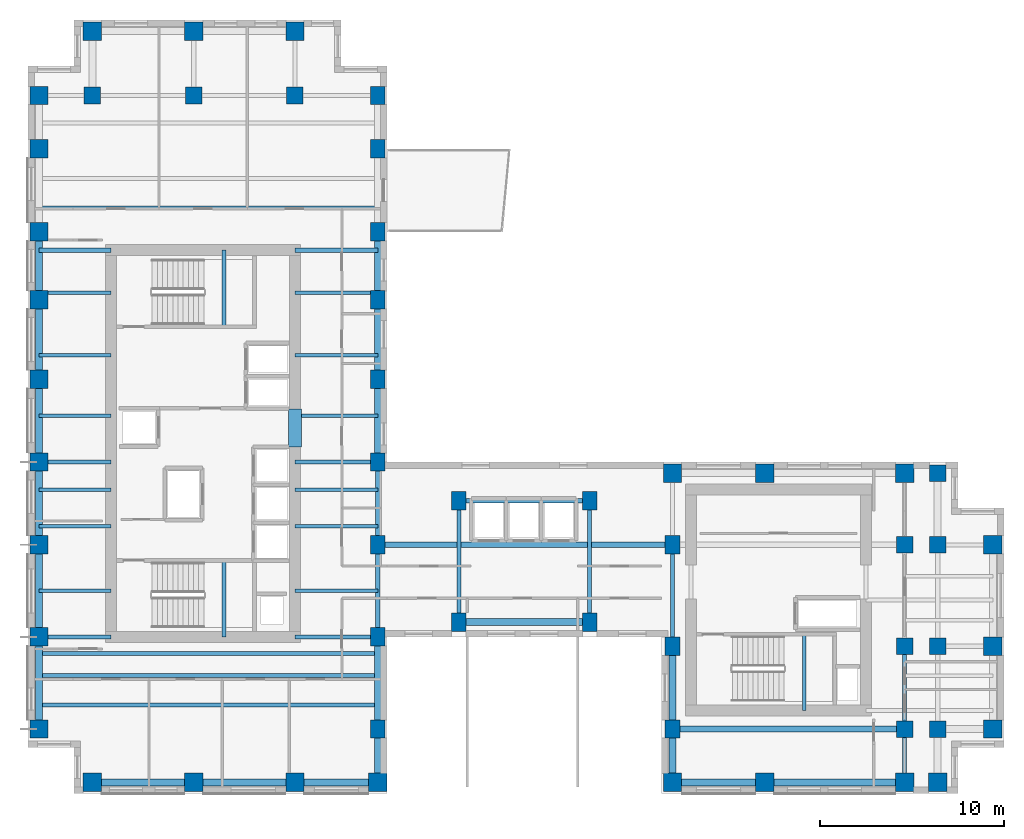
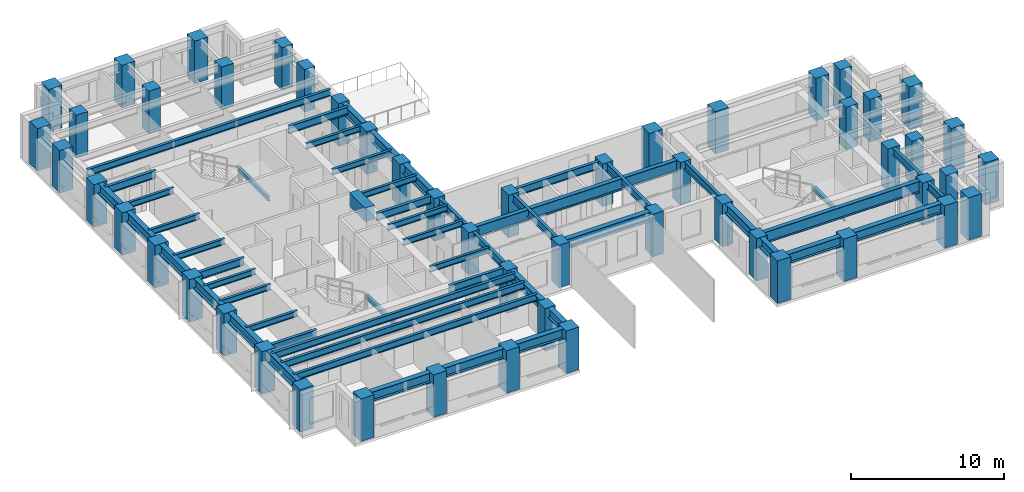
# One storey, part 1 of 11: 55 beams, 52 columns.
"""IFC4 building model written with IfcOpenShell, lengths in metres."""

from ifc_helpers import new_model, si_unit, direction, frame, origin, origin_2d, place, context, subcontext, project, spatial, rectangle, i_section, extrude, source, transform, mapped, material, material_profile, profile_set, type_object, element, save


model = new_model("IFC4")

# Units and contexts
model_context = context("Model", 3, precision=1e-05, world=origin(), true_north=direction((0.0, 1.0)))
body_context = subcontext(model_context, "Body", "Model", "MODEL_VIEW")
ifc_project = project(units=[si_unit("LENGTHUNIT", "METRE"), si_unit("AREAUNIT", "SQUARE_METRE"), si_unit("VOLUMEUNIT", "CUBIC_METRE"), si_unit("PLANEANGLEUNIT", "RADIAN"), si_unit("MASSUNIT", "GRAM", prefix="KILO")], contexts=[model_context])

# Site, building, storey
site_placement = place(None, origin())
site = spatial("IfcSite", under=ifc_project, at=site_placement, CompositionType="ELEMENT")
building_placement = place(site_placement, origin())
building = spatial("IfcBuilding", under=site, at=building_placement, Name="Kharzan Plaza Tower", CompositionType="ELEMENT")
storey_placement = place(building_placement, frame((0.0, 0.0, 200.699951171875)))
storey = spatial("IfcBuildingStorey", under=building, at=storey_placement, Name="L54", CompositionType="ELEMENT", Elevation=200.699951171875)

# Columns
ifc_material_1 = material(Name="Concrete C50/60", Category="concrete")
ifc_material_profile_1 = material_profile(ifc_material_1, rectangle(XDim=0.89990234375, YDim=0.89990234375, at=origin_2d()), Name="RC-IC900x900")
ifc_profile_set_1 = profile_set([ifc_material_profile_1], Name="Concrete C50/60")
column_type_1 = type_object("IfcColumnType", Name="COL-IC900", PredefinedType="COLUMN", material=ifc_profile_set_1)
shared_shape_1 = source(origin(), body_context, "Body", "SweptSolid", [
    extrude(rectangle(XDim=0.89990234375, YDim=0.89990234375, at=origin_2d()), origin(), (0.0, 0.0, 1.0), 3.400146484375),
])
for number, where, z_axis, x_axis, name in (
    (1, (47.60009765625, 13.5, 0.0), (0.0, 0.0, 1.0), (1.0, 0.0, 0.0), "L54 Structural Column TCBI-135"),
    (2, (47.60009765625, 3.5, 0.0), (0.0, 0.0, 1.0), (1.0, 0.0, 0.0), "L54 Structural Column TCBI-35"),
    (3, (47.60009765625, 8.0, 0.0), (0.0, 0.0, 1.0), (1.0, 0.0, 0.0), "L54 Structural Column TCBI-80"),
    (4, (49.39990234375, 13.5, 0.0), (0.0, 0.0, 1.0), (1.0, 0.0, 0.0), "L54 Structural Column TCE-494-135"),
    (5, (49.39990234375, 17.39990234375, 0.0), (0.0, 0.0, 1.0), (1.0, 0.0, 0.0), "L54 Structural Column TCE-494-174"),
    (6, (49.39990234375, 3.5, 0.0), (0.0, 0.0, 1.0), (1.0, 0.0, 0.0), "L54 Structural Column TCE-494-35"),
    (7, (49.39990234375, 8.0, 0.0), (0.0, 0.0, 1.0), (1.0, 0.0, 0.0), "L54 Structural Column TCE-494-80"),
    (8, (14.5, 37.89990234375, 0.0), (0.0, 0.0, 1.0), (1.0, 0.0, 0.0), "L54 Structural Column TCN-145-379"),
    (9, (3.5, 37.89990234375, 0.0), (0.0, 0.0, 1.0), (1.0, 0.0, 0.0), "L54 Structural Column TCN-35-379"),
    (10, (9.0, 37.89990234375, 0.0), (0.0, 0.0, 1.0), (1.0, 0.0, 0.0), "L54 Structural Column TCN-90-379"),
):
    element("IfcColumn", number, at=place(storey_placement, frame(where, z_axis=z_axis, x_axis=x_axis)), inside=storey, type_object=column_type_1, Name=name, PredefinedType="COLUMN", context=body_context, shape_type="MappedRepresentation", body=[
        mapped(shared_shape_1, transform((0.0, 0.0, 0.0), x_axis=(1.0, 0.0, 0.0), y_axis=(0.0, 1.0, 0.0), z_axis=(0.0, 0.0, 1.0))),
    ])
ifc_material_profile_2 = material_profile(ifc_material_1, rectangle(XDim=0.800048828125, YDim=1.0, at=origin_2d()), Name="RC-SC1000x800")
ifc_profile_set_2 = profile_set([ifc_material_profile_2], Name="Concrete C50/60")
column_type_2 = type_object("IfcColumnType", Name="COL-SC1000", PredefinedType="COLUMN", material=ifc_profile_set_2)
shared_shape_2 = source(origin(), body_context, "Body", "SweptSolid", [
    extrude(rectangle(XDim=0.800048828125, YDim=1.0, at=origin_2d()), origin(), (0.0, 0.0, 1.0), 3.400146484375),
])
for number, where, z_axis, x_axis, name in (
    (11, (19.0, 13.5, 0.0), (0.0, 0.0, 1.0), (1.0, 0.0, 0.0), "L54 Structural Column TCA-135"),
    (12, (19.0, 18.0, 0.0), (0.0, 0.0, 1.0), (1.0, 0.0, 0.0), "L54 Structural Column TCA-180"),
    (13, (19.0, 22.5, 0.0), (0.0, 0.0, 1.0), (1.0, 0.0, 0.0), "L54 Structural Column TCA-225"),
    (14, (19.0, 26.800048828125, 0.0), (0.0, 0.0, 1.0), (1.0, 0.0, 0.0), "L54 Structural Column TCA-268"),
    (15, (19.0, 30.5, 0.0), (0.0, 0.0, 1.0), (1.0, 0.0, 0.0), "L54 Structural Column TCA-305"),
    (16, (19.0, 3.5, 0.0), (0.0, 0.0, 1.0), (1.0, 0.0, 0.0), "L54 Structural Column TCA-35"),
    (17, (19.0, 35.0, 0.0), (0.0, 0.0, 1.0), (1.0, 0.0, 0.0), "L54 Structural Column TCA-350"),
    (18, (19.0, 37.89990234375, 0.0), (0.0, 0.0, 1.0), (1.0, 0.0, 0.0), "L54 Structural Column TCA-379"),
    (19, (19.0, 8.5, 0.0), (0.0, 0.0, 1.0), (1.0, 0.0, 0.0), "L54 Structural Column TCA-85"),
    (20, (35.0, 13.5, 0.0), (0.0, 0.0, 1.0), (1.0, 0.0, 0.0), "L54 Structural Column TCBS-135"),
    (21, (35.0, 3.5, 0.0), (0.0, 0.0, 1.0), (1.0, 0.0, 0.0), "L54 Structural Column TCBS-35"),
    (22, (35.0, 8.0, 0.0), (0.0, 0.0, 1.0), (1.0, 0.0, 0.0), "L54 Structural Column TCBS-80"),
    (23, (23.39990234375, 15.89990234375, 0.0), (0.0, 0.0, 1.0), (1.0, 0.0, 0.0), "L54 Structural Column TCSP-234-159"),
    (24, (23.39990234375, 9.300048828125, 0.0), (0.0, 0.0, 1.0), (1.0, 0.0, 0.0), "L54 Structural Column TCSP-234-93"),
    (25, (30.5, 15.89990234375, 0.0), (0.0, 0.0, 1.0), (1.0, 0.0, 0.0), "L54 Structural Column TCSP-305-159"),
    (26, (30.5, 9.300048828125, 0.0), (0.0, 0.0, 1.0), (1.0, 0.0, 0.0), "L54 Structural Column TCSP-305-93"),
):
    element("IfcColumn", number, at=place(storey_placement, frame(where, z_axis=z_axis, x_axis=x_axis)), inside=storey, type_object=column_type_2, Name=name, PredefinedType="COLUMN", context=body_context, shape_type="MappedRepresentation", body=[
        mapped(shared_shape_2, transform((0.0, 0.0, 0.0), x_axis=(1.0, 0.0, 0.0), y_axis=(0.0, 1.0, 0.0), z_axis=(0.0, 0.0, 1.0))),
    ])
ifc_material_profile_3 = material_profile(ifc_material_1, rectangle(XDim=1.0, YDim=1.0, at=origin_2d()), Name="RC-TC1000x1000")
ifc_profile_set_3 = profile_set([ifc_material_profile_3], Name="Concrete C50/60")
column_type_3 = type_object("IfcColumnType", Name="COL-TC1000", PredefinedType="COLUMN", material=ifc_profile_set_3)
shared_shape_3 = source(origin(), body_context, "Body", "SweptSolid", [
    extrude(rectangle(XDim=1.0, YDim=1.0, at=origin_2d()), origin(), (0.0, 0.0, 1.0), 3.400146484375),
])
for number, where, z_axis, x_axis, name in (
    (27, (35.0, 17.39990234375, 0.0), (0.0, 0.0, 1.0), (1.0, 0.0, 0.0), "L54 Structural Column TCBN-350-174"),
    (28, (40.0, 17.39990234375, 0.0), (0.0, 0.0, 1.0), (1.0, 0.0, 0.0), "L54 Structural Column TCBN-400-174"),
    (29, (47.60009765625, 17.39990234375, 0.0), (0.0, 0.0, 1.0), (1.0, 0.0, 0.0), "L54 Structural Column TCBN-476-174"),
    (30, (52.39990234375, 13.5, 0.0), (0.0, 0.0, 1.0), (1.0, 0.0, 0.0), "L54 Structural Column TCE-524-135"),
    (31, (52.39990234375, 3.5, 0.0), (0.0, 0.0, 1.0), (1.0, 0.0, 0.0), "L54 Structural Column TCE-524-35"),
    (32, (52.39990234375, 8.0, 0.0), (0.0, 0.0, 1.0), (1.0, 0.0, 0.0), "L54 Structural Column TCE-524-80"),
    (33, (14.5, 41.39990234375, 0.0), (0.0, 0.0, 1.0), (1.0, 0.0, 0.0), "L54 Structural Column TCN-145-414"),
    (34, (3.5, 41.39990234375, 0.0), (0.0, 0.0, 1.0), (1.0, 0.0, 0.0), "L54 Structural Column TCN-35-414"),
    (35, (9.0, 41.39990234375, 0.0), (0.0, 0.0, 1.0), (1.0, 0.0, 0.0), "L54 Structural Column TCN-90-414"),
    (36, (14.5, 0.60009765625, 0.0), (0.0, 0.0, 1.0), (1.0, 0.0, 0.0), "L54 Structural Column TCS-145"),
    (37, (19.0, 0.60009765625, 0.0), (0.0, 0.0, 1.0), (1.0, 0.0, 0.0), "L54 Structural Column TCS-190"),
    (38, (3.5, 0.60009765625, 0.0), (0.0, 0.0, 1.0), (1.0, 0.0, 0.0), "L54 Structural Column TCS-35"),
    (39, (35.0, 0.60009765625, 0.0), (0.0, 0.0, 1.0), (1.0, 0.0, 0.0), "L54 Structural Column TCS-350"),
    (40, (40.0, 0.60009765625, 0.0), (0.0, 0.0, 1.0), (1.0, 0.0, 0.0), "L54 Structural Column TCS-400"),
    (41, (47.60009765625, 0.60009765625, 0.0), (0.0, 0.0, 1.0), (1.0, 0.0, 0.0), "L54 Structural Column TCS-476"),
    (42, (49.39990234375, 0.60009765625, 0.0), (0.0, 0.0, 1.0), (1.0, 0.0, 0.0), "L54 Structural Column TCS-494"),
    (43, (9.0, 0.60009765625, 0.0), (0.0, 0.0, 1.0), (1.0, 0.0, 0.0), "L54 Structural Column TCS-90"),
    (44, (0.60009765625, 13.5, 0.0), (0.0, 0.0, 1.0), (1.0, 0.0, 0.0), "L54 Structural Column TCW-135"),
    (45, (0.60009765625, 18.0, 0.0), (0.0, 0.0, 1.0), (1.0, 0.0, 0.0), "L54 Structural Column TCW-180"),
    (46, (0.60009765625, 22.5, 0.0), (0.0, 0.0, 1.0), (1.0, 0.0, 0.0), "L54 Structural Column TCW-225"),
    (47, (0.60009765625, 26.800048828125, 0.0), (0.0, 0.0, 1.0), (1.0, 0.0, 0.0), "L54 Structural Column TCW-268"),
    (48, (0.60009765625, 30.5, 0.0), (0.0, 0.0, 1.0), (1.0, 0.0, 0.0), "L54 Structural Column TCW-305"),
    (49, (0.60009765625, 3.5, 0.0), (0.0, 0.0, 1.0), (1.0, 0.0, 0.0), "L54 Structural Column TCW-35"),
    (50, (0.60009765625, 35.0, 0.0), (0.0, 0.0, 1.0), (1.0, 0.0, 0.0), "L54 Structural Column TCW-350"),
    (51, (0.60009765625, 37.89990234375, 0.0), (0.0, 0.0, 1.0), (1.0, 0.0, 0.0), "L54 Structural Column TCW-379"),
    (52, (0.60009765625, 8.5, 0.0), (0.0, 0.0, 1.0), (1.0, 0.0, 0.0), "L54 Structural Column TCW-85"),
):
    element("IfcColumn", number, at=place(storey_placement, frame(where, z_axis=z_axis, x_axis=x_axis)), inside=storey, type_object=column_type_3, Name=name, PredefinedType="COLUMN", context=body_context, shape_type="MappedRepresentation", body=[
        mapped(shared_shape_3, transform((0.0, 0.0, 0.0), x_axis=(1.0, 0.0, 0.0), y_axis=(0.0, 1.0, 0.0), z_axis=(0.0, 0.0, 1.0))),
    ])

# Beams
ifc_material_2 = material(Name="Concrete C60/75", Category="concrete")
ifc_material_profile_4 = material_profile(ifc_material_2, rectangle(XDim=0.699951171875, YDim=1.10009765625, at=origin_2d()), Name="RC-CB1100x700")
ifc_profile_set_4 = profile_set([ifc_material_profile_4], Name="Concrete C60/75")
beam_type_1 = type_object("IfcBeamType", Name="BM-RCCB1100", PredefinedType="LINTEL", material=ifc_profile_set_4)
shared_shape_4 = source(origin(), body_context, "Body", "SweptSolid", [
    extrude(rectangle(XDim=0.699951171875, YDim=1.10009765625, at=origin_2d()), origin(), (0.0, 0.0, 1.0), 2.059814453125),
])
beam_1_placement = place(storey_placement, frame((14.5, 18.820068359375, 2.85009765625), z_axis=(0.0, 1.0, 0.0), x_axis=(-1.0, 0.0, 0.0)))
element("IfcBeam", 53, at=beam_1_placement, inside=storey, type_object=beam_type_1, Name="L54 CORE-A RC coupling beam CB1", PredefinedType="LINTEL", context=body_context, shape_type="MappedRepresentation", body=[
    mapped(shared_shape_4, transform((0.0, 0.0, 0.0), x_axis=(1.0, 0.0, 0.0), y_axis=(0.0, 1.0, 0.0), z_axis=(0.0, 0.0, 1.0))),
])
ifc_material_3 = material(Name="Steel S355", Category="steel")
ifc_material_profile_5 = material_profile(ifc_material_3, i_section(OverallWidth=0.205078125, OverallDepth=0.35400390625, WebThickness=0.009521484375, FlangeThickness=0.016845703125, at=origin_2d()), Name="W360x79")
ifc_profile_set_5 = profile_set([ifc_material_profile_5], Name="Steel S355")
beam_type_2 = type_object("IfcBeamType", Name="BM-LNT360", PredefinedType="LINTEL", material=ifc_profile_set_5)
shared_shape_5 = source(origin(), body_context, "Body", "SweptSolid", [
    extrude(i_section(OverallWidth=0.205078125, OverallDepth=0.35400390625, WebThickness=0.009521484375, FlangeThickness=0.016845703125, at=origin_2d()), origin(), (0.0, 0.0, 1.0), 4.155029296875),
])
for number, where, z_axis, x_axis, name in (
    (54, (10.64990234375, 8.5, 1.423095703125), (0.0, 1.0, 0.0), (-1.0, 0.0, 0.0), "L54 Stair ST-1 Half-Landing Beam"),
    (55, (10.64990234375, 25.344970703125, 1.423095703125), (0.0, 1.0, 0.0), (-1.0, 0.0, 0.0), "L54 Stair ST-2 Half-Landing Beam"),
    (56, (42.14990234375, 4.5, 1.423095703125), (0.0, 1.0, 0.0), (-1.0, 0.0, 0.0), "L54 Stair ST-3 Half-Landing Beam"),
):
    element("IfcBeam", number, at=place(storey_placement, frame(where, z_axis=z_axis, x_axis=x_axis)), inside=storey, type_object=beam_type_2, Name=name, PredefinedType="LINTEL", context=body_context, shape_type="MappedRepresentation", body=[
        mapped(shared_shape_5, transform((0.0, 0.0, 0.0), x_axis=(1.0, 0.0, 0.0), y_axis=(0.0, 1.0, 0.0), z_axis=(0.0, 0.0, 1.0))),
    ])
ifc_material_profile_6 = material_profile(ifc_material_3, i_section(OverallWidth=0.304931640625, OverallDepth=0.9189453125, WebThickness=0.017333984375, FlangeThickness=0.02783203125, at=origin_2d()), Name="W920x253")
ifc_profile_set_6 = profile_set([ifc_material_profile_6], Name="Steel S355")
beam_type_3 = type_object("IfcBeamType", Name="BM-FG920B", PredefinedType="BEAM", material=ifc_profile_set_6)
shared_shape_6 = source(origin(), body_context, "Body", "SweptSolid", [
    extrude(i_section(OverallWidth=0.304931640625, OverallDepth=0.9189453125, WebThickness=0.017333984375, FlangeThickness=0.02783203125, at=origin_2d()), origin(), (0.0, 0.0, 1.0), 12.60009765625),
])
beam_2_placement = place(storey_placement, frame((35.0, 3.5, 2.9404296875), z_axis=(1.0, 0.0, 0.0), x_axis=(0.0, 1.0, 0.0)))
element("IfcBeam", 57, at=beam_2_placement, inside=storey, type_object=beam_type_3, Name="L54 Primary Floor Girder", PredefinedType="BEAM", context=body_context, shape_type="MappedRepresentation", body=[
    mapped(shared_shape_6, transform((0.0, 0.0, 0.0), x_axis=(1.0, 0.0, 0.0), y_axis=(0.0, 1.0, 0.0), z_axis=(0.0, 0.0, 1.0))),
])
shared_shape_7 = source(origin(), body_context, "Body", "SweptSolid", [
    extrude(i_section(OverallWidth=0.304931640625, OverallDepth=0.9189453125, WebThickness=0.017333984375, FlangeThickness=0.02783203125, at=origin_2d()), origin(), (0.0, 0.0, 1.0), 16.0),
])
beam_3_placement = place(storey_placement, frame((19.0, 13.5, 2.9404296875), z_axis=(1.0, 0.0, 0.0), x_axis=(0.0, 1.0, 0.0)))
element("IfcBeam", 58, at=beam_3_placement, inside=storey, type_object=beam_type_3, Name="L54 Primary Floor Girder", PredefinedType="BEAM", context=body_context, shape_type="MappedRepresentation", body=[
    mapped(shared_shape_7, transform((0.0, 0.0, 0.0), x_axis=(1.0, 0.0, 0.0), y_axis=(0.0, 1.0, 0.0), z_axis=(0.0, 0.0, 1.0))),
])
ifc_material_profile_7 = material_profile(ifc_material_3, i_section(OverallWidth=0.2099609375, OverallDepth=0.537109375, WebThickness=0.010986328125, FlangeThickness=0.017333984375, at=origin_2d()), Name="W530x101")
ifc_profile_set_7 = profile_set([ifc_material_profile_7], Name="Steel S355")
beam_type_4 = type_object("IfcBeamType", Name="BM-JST530B", PredefinedType="JOIST", material=ifc_profile_set_7)
shared_shape_8 = source(origin(), body_context, "Body", "SweptSolid", [
    extrude(i_section(OverallWidth=0.2099609375, OverallDepth=0.537109375, WebThickness=0.010986328125, FlangeThickness=0.017333984375, at=origin_2d()), origin(), (0.0, 0.0, 1.0), 18.39990234375),
])
for number, where, z_axis, x_axis, name in (
    (59, (0.60009765625, 4.800048828125, 3.131591796875), (1.0, 0.0, 0.0), (0.0, 1.0, 0.0), "L54 Wing A Composite Joist 01"),
    (60, (0.60009765625, 6.39990234375, 3.131591796875), (1.0, 0.0, 0.0), (0.0, 1.0, 0.0), "L54 Wing A Composite Joist 02"),
    (61, (0.60009765625, 7.60009765625, 3.131591796875), (1.0, 0.0, 0.0), (0.0, 1.0, 0.0), "L54 Wing A Composite Joist 03"),
    (62, (0.60009765625, 31.800048828125, 3.131591796875), (1.0, 0.0, 0.0), (0.0, 1.0, 0.0), "L54 Wing A Composite Joist 04"),
):
    element("IfcBeam", number, at=place(storey_placement, frame(where, z_axis=z_axis, x_axis=x_axis)), inside=storey, type_object=beam_type_4, Name=name, PredefinedType="JOIST", context=body_context, shape_type="MappedRepresentation", body=[
        mapped(shared_shape_8, transform((0.0, 0.0, 0.0), x_axis=(1.0, 0.0, 0.0), y_axis=(0.0, 1.0, 0.0), z_axis=(0.0, 0.0, 1.0))),
    ])
ifc_material_profile_8 = material_profile(ifc_material_3, i_section(OverallWidth=0.194091796875, OverallDepth=0.468994140625, WebThickness=0.011474609375, FlangeThickness=0.0205078125, at=origin_2d()), Name="W460x106")
ifc_profile_set_8 = profile_set([ifc_material_profile_8], Name="Steel S355")
beam_type_5 = type_object("IfcBeamType", Name="BM-JST460", PredefinedType="JOIST", material=ifc_profile_set_8)
shared_shape_9 = source(origin(), body_context, "Body", "SweptSolid", [
    extrude(i_section(OverallWidth=0.194091796875, OverallDepth=0.468994140625, WebThickness=0.011474609375, FlangeThickness=0.0205078125, at=origin_2d()), origin(), (0.0, 0.0, 1.0), 4.5),
])
for number, where, z_axis, x_axis, name in (
    (63, (14.5, 11.0, 3.16552734375), (1.0, 0.0, 0.0), (0.0, 1.0, 0.0), "L54 Wing A East Infill Joist 1"),
    (64, (14.5, 14.5, 3.16552734375), (1.0, 0.0, 0.0), (0.0, 1.0, 0.0), "L54 Wing A East Infill Joist 2"),
    (65, (14.5, 16.5, 3.16552734375), (1.0, 0.0, 0.0), (0.0, 1.0, 0.0), "L54 Wing A East Infill Joist 3"),
    (66, (14.5, 20.5, 3.16552734375), (1.0, 0.0, 0.0), (0.0, 1.0, 0.0), "L54 Wing A East Infill Joist 4"),
    (67, (14.5, 23.800048828125, 3.16552734375), (1.0, 0.0, 0.0), (0.0, 1.0, 0.0), "L54 Wing A East Infill Joist 5"),
    (68, (14.5, 27.199951171875, 3.16552734375), (1.0, 0.0, 0.0), (0.0, 1.0, 0.0), "L54 Wing A East Infill Joist 6"),
):
    element("IfcBeam", number, at=place(storey_placement, frame(where, z_axis=z_axis, x_axis=x_axis)), inside=storey, type_object=beam_type_5, Name=name, PredefinedType="JOIST", context=body_context, shape_type="MappedRepresentation", body=[
        mapped(shared_shape_9, transform((0.0, 0.0, 0.0), x_axis=(1.0, 0.0, 0.0), y_axis=(0.0, 1.0, 0.0), z_axis=(0.0, 0.0, 1.0))),
    ])
shared_shape_10 = source(origin(), body_context, "Body", "SweptSolid", [
    extrude(i_section(OverallWidth=0.194091796875, OverallDepth=0.468994140625, WebThickness=0.011474609375, FlangeThickness=0.0205078125, at=origin_2d()), origin(), (0.0, 0.0, 1.0), 3.89990234375),
])
for number, where, z_axis, x_axis, name in (
    (69, (0.60009765625, 11.0, 3.16552734375), (1.0, 0.0, 0.0), (0.0, 1.0, 0.0), "L54 Wing A West Infill Joist 1"),
    (70, (0.60009765625, 14.5, 3.16552734375), (1.0, 0.0, 0.0), (0.0, 1.0, 0.0), "L54 Wing A West Infill Joist 2"),
    (71, (0.60009765625, 16.5, 3.16552734375), (1.0, 0.0, 0.0), (0.0, 1.0, 0.0), "L54 Wing A West Infill Joist 3"),
    (72, (0.60009765625, 20.5, 3.16552734375), (1.0, 0.0, 0.0), (0.0, 1.0, 0.0), "L54 Wing A West Infill Joist 4"),
    (73, (0.60009765625, 23.800048828125, 3.16552734375), (1.0, 0.0, 0.0), (0.0, 1.0, 0.0), "L54 Wing A West Infill Joist 5"),
    (74, (0.60009765625, 27.199951171875, 3.16552734375), (1.0, 0.0, 0.0), (0.0, 1.0, 0.0), "L54 Wing A West Infill Joist 6"),
):
    element("IfcBeam", number, at=place(storey_placement, frame(where, z_axis=z_axis, x_axis=x_axis)), inside=storey, type_object=beam_type_5, Name=name, PredefinedType="JOIST", context=body_context, shape_type="MappedRepresentation", body=[
        mapped(shared_shape_10, transform((0.0, 0.0, 0.0), x_axis=(1.0, 0.0, 0.0), y_axis=(0.0, 1.0, 0.0), z_axis=(0.0, 0.0, 1.0))),
    ])
ifc_material_profile_9 = material_profile(ifc_material_3, i_section(OverallWidth=0.22900390625, OverallDepth=0.612060546875, WebThickness=0.011962890625, FlangeThickness=0.01953125, at=origin_2d()), Name="W610x125")
ifc_profile_set_9 = profile_set([ifc_material_profile_9], Name="Steel S355")
beam_type_6 = type_object("IfcBeamType", Name="BM-FG610B", PredefinedType="BEAM", material=ifc_profile_set_9)
shared_shape_11 = source(origin(), body_context, "Body", "SweptSolid", [
    extrude(i_section(OverallWidth=0.22900390625, OverallDepth=0.612060546875, WebThickness=0.011962890625, FlangeThickness=0.01953125, at=origin_2d()), origin(), (0.0, 0.0, 1.0), 4.5),
])
for number, where, z_axis, x_axis, name in (
    (75, (14.5, 8.5, 3.093994140625), (1.0, 0.0, 0.0), (0.0, 1.0, 0.0), "L54 Core-A East Floor Girder 1"),
    (76, (14.5, 18.0, 3.093994140625), (1.0, 0.0, 0.0), (0.0, 1.0, 0.0), "L54 Core-A East Floor Girder 2"),
    (77, (14.5, 29.5, 3.093994140625), (1.0, 0.0, 0.0), (0.0, 1.0, 0.0), "L54 Core-A East Floor Girder 3"),
    (78, (19.0, 13.5, 3.093994140625), (0.0, 1.0, 0.0), (-1.0, 0.0, 0.0), "L54 Interior Frame Girder"),
    (79, (47.60009765625, 3.5, 3.093994140625), (0.0, 1.0, 0.0), (-1.0, 0.0, 0.0), "L54 Interior Frame Girder"),
):
    element("IfcBeam", number, at=place(storey_placement, frame(where, z_axis=z_axis, x_axis=x_axis)), inside=storey, type_object=beam_type_6, Name=name, PredefinedType="BEAM", context=body_context, shape_type="MappedRepresentation", body=[
        mapped(shared_shape_11, transform((0.0, 0.0, 0.0), x_axis=(1.0, 0.0, 0.0), y_axis=(0.0, 1.0, 0.0), z_axis=(0.0, 0.0, 1.0))),
    ])
shared_shape_12 = source(origin(), body_context, "Body", "SweptSolid", [
    extrude(i_section(OverallWidth=0.22900390625, OverallDepth=0.612060546875, WebThickness=0.011962890625, FlangeThickness=0.01953125, at=origin_2d()), origin(), (0.0, 0.0, 1.0), 3.89990234375),
])
for number, where, z_axis, x_axis, name in (
    (80, (0.60009765625, 8.5, 3.093994140625), (1.0, 0.0, 0.0), (0.0, 1.0, 0.0), "L54 Core-A West Floor Girder 1"),
    (81, (0.60009765625, 18.0, 3.093994140625), (1.0, 0.0, 0.0), (0.0, 1.0, 0.0), "L54 Core-A West Floor Girder 2"),
    (82, (0.60009765625, 29.5, 3.093994140625), (1.0, 0.0, 0.0), (0.0, 1.0, 0.0), "L54 Core-A West Floor Girder 3"),
):
    element("IfcBeam", number, at=place(storey_placement, frame(where, z_axis=z_axis, x_axis=x_axis)), inside=storey, type_object=beam_type_6, Name=name, PredefinedType="BEAM", context=body_context, shape_type="MappedRepresentation", body=[
        mapped(shared_shape_12, transform((0.0, 0.0, 0.0), x_axis=(1.0, 0.0, 0.0), y_axis=(0.0, 1.0, 0.0), z_axis=(0.0, 0.0, 1.0))),
    ])
shared_shape_13 = source(origin(), body_context, "Body", "SweptSolid", [
    extrude(i_section(OverallWidth=0.22900390625, OverallDepth=0.612060546875, WebThickness=0.011962890625, FlangeThickness=0.01953125, at=origin_2d()), origin(), (0.0, 0.0, 1.0), 5.0),
])
beam_4_placement = place(storey_placement, frame((19.0, 8.5, 3.093994140625), z_axis=(0.0, 1.0, 0.0), x_axis=(-1.0, 0.0, 0.0)))
element("IfcBeam", 83, at=beam_4_placement, inside=storey, type_object=beam_type_6, Name="L54 Interior Frame Girder", PredefinedType="BEAM", context=body_context, shape_type="MappedRepresentation", body=[
    mapped(shared_shape_13, transform((0.0, 0.0, 0.0), x_axis=(1.0, 0.0, 0.0), y_axis=(0.0, 1.0, 0.0), z_axis=(0.0, 0.0, 1.0))),
])
shared_shape_14 = source(origin(), body_context, "Body", "SweptSolid", [
    extrude(i_section(OverallWidth=0.22900390625, OverallDepth=0.612060546875, WebThickness=0.011962890625, FlangeThickness=0.01953125, at=origin_2d()), origin(), (0.0, 0.0, 1.0), 6.599853515625),
])
for number, where, z_axis, x_axis, name in (
    (84, (23.39990234375, 9.300048828125, 3.093994140625), (0.0, 1.0, 0.0), (-1.0, 0.0, 0.0), "L54 Interior Frame Girder"),
    (85, (30.5, 9.300048828125, 3.093994140625), (0.0, 1.0, 0.0), (-1.0, 0.0, 0.0), "L54 Interior Frame Girder"),
):
    element("IfcBeam", number, at=place(storey_placement, frame(where, z_axis=z_axis, x_axis=x_axis)), inside=storey, type_object=beam_type_6, Name=name, PredefinedType="BEAM", context=body_context, shape_type="MappedRepresentation", body=[
        mapped(shared_shape_14, transform((0.0, 0.0, 0.0), x_axis=(1.0, 0.0, 0.0), y_axis=(0.0, 1.0, 0.0), z_axis=(0.0, 0.0, 1.0))),
    ])
shared_shape_15 = source(origin(), body_context, "Body", "SweptSolid", [
    extrude(i_section(OverallWidth=0.22900390625, OverallDepth=0.612060546875, WebThickness=0.011962890625, FlangeThickness=0.01953125, at=origin_2d()), origin(), (0.0, 0.0, 1.0), 5.5),
])
beam_5_placement = place(storey_placement, frame((35.0, 8.0, 3.093994140625), z_axis=(0.0, 1.0, 0.0), x_axis=(-1.0, 0.0, 0.0)))
element("IfcBeam", 86, at=beam_5_placement, inside=storey, type_object=beam_type_6, Name="L54 Interior Frame Girder", PredefinedType="BEAM", context=body_context, shape_type="MappedRepresentation", body=[
    mapped(shared_shape_15, transform((0.0, 0.0, 0.0), x_axis=(1.0, 0.0, 0.0), y_axis=(0.0, 1.0, 0.0), z_axis=(0.0, 0.0, 1.0))),
])
shared_shape_16 = source(origin(), body_context, "Body", "SweptSolid", [
    extrude(i_section(OverallWidth=0.22900390625, OverallDepth=0.612060546875, WebThickness=0.011962890625, FlangeThickness=0.01953125, at=origin_2d()), origin(), (0.0, 0.0, 1.0), 2.89990234375),
])
beam_6_placement = place(storey_placement, frame((47.60009765625, 0.60009765625, 3.093994140625), z_axis=(0.0, 1.0, 0.0), x_axis=(-1.0, 0.0, 0.0)))
element("IfcBeam", 87, at=beam_6_placement, inside=storey, type_object=beam_type_6, Name="L54 Interior Frame Girder", PredefinedType="BEAM", context=body_context, shape_type="MappedRepresentation", body=[
    mapped(shared_shape_16, transform((0.0, 0.0, 0.0), x_axis=(1.0, 0.0, 0.0), y_axis=(0.0, 1.0, 0.0), z_axis=(0.0, 0.0, 1.0))),
])
shared_shape_17 = source(origin(), body_context, "Body", "SweptSolid", [
    extrude(i_section(OverallWidth=0.22900390625, OverallDepth=0.612060546875, WebThickness=0.011962890625, FlangeThickness=0.01953125, at=origin_2d()), origin(), (0.0, 0.0, 1.0), 7.10009765625),
])
beam_7_placement = place(storey_placement, frame((23.39990234375, 15.89990234375, 3.093994140625), z_axis=(1.0, 0.0, 0.0), x_axis=(0.0, 1.0, 0.0)))
element("IfcBeam", 88, at=beam_7_placement, inside=storey, type_object=beam_type_6, Name="L54 Primary Floor Girder", PredefinedType="BEAM", context=body_context, shape_type="MappedRepresentation", body=[
    mapped(shared_shape_17, transform((0.0, 0.0, 0.0), x_axis=(1.0, 0.0, 0.0), y_axis=(0.0, 1.0, 0.0), z_axis=(0.0, 0.0, 1.0))),
])
ifc_material_profile_10 = material_profile(ifc_material_3, i_section(OverallWidth=0.381103515625, OverallDepth=0.77294921875, WebThickness=0.0166015625, FlangeThickness=0.027587890625, at=origin_2d()), Name="W760x257")
ifc_profile_set_10 = profile_set([ifc_material_profile_10], Name="Steel S355")
beam_type_7 = type_object("IfcBeamType", Name="BM-SP760A", PredefinedType="SPANDREL", material=ifc_profile_set_10)
shared_shape_18 = source(origin(), body_context, "Body", "SweptSolid", [
    extrude(i_section(OverallWidth=0.381103515625, OverallDepth=0.77294921875, WebThickness=0.0166015625, FlangeThickness=0.027587890625, at=origin_2d()), origin(), (0.0, 0.0, 1.0), 5.0),
])
for number, where, z_axis, x_axis, name in (
    (89, (0.60009765625, 3.5, 3.013427734375), (0.0, 1.0, 0.0), (-1.0, 0.0, 0.0), "L54 Perimeter Tube Spandrel"),
    (90, (0.60009765625, 8.5, 3.013427734375), (0.0, 1.0, 0.0), (-1.0, 0.0, 0.0), "L54 Perimeter Tube Spandrel"),
    (91, (19.0, 3.5, 3.013427734375), (0.0, 1.0, 0.0), (-1.0, 0.0, 0.0), "L54 Perimeter Tube Spandrel"),
    (92, (35.0, 0.60009765625, 3.013427734375), (1.0, 0.0, 0.0), (0.0, 1.0, 0.0), "L54 Perimeter Tube Spandrel"),
):
    element("IfcBeam", number, at=place(storey_placement, frame(where, z_axis=z_axis, x_axis=x_axis)), inside=storey, type_object=beam_type_7, Name=name, PredefinedType="SPANDREL", context=body_context, shape_type="MappedRepresentation", body=[
        mapped(shared_shape_18, transform((0.0, 0.0, 0.0), x_axis=(1.0, 0.0, 0.0), y_axis=(0.0, 1.0, 0.0), z_axis=(0.0, 0.0, 1.0))),
    ])
shared_shape_19 = source(origin(), body_context, "Body", "SweptSolid", [
    extrude(i_section(OverallWidth=0.381103515625, OverallDepth=0.77294921875, WebThickness=0.0166015625, FlangeThickness=0.027587890625, at=origin_2d()), origin(), (0.0, 0.0, 1.0), 4.5),
])
for number, where, z_axis, x_axis, name in (
    (93, (0.60009765625, 13.5, 3.013427734375), (0.0, 1.0, 0.0), (-1.0, 0.0, 0.0), "L54 Perimeter Tube Spandrel"),
    (94, (0.60009765625, 18.0, 3.013427734375), (0.0, 1.0, 0.0), (-1.0, 0.0, 0.0), "L54 Perimeter Tube Spandrel"),
    (95, (19.0, 18.0, 3.013427734375), (0.0, 1.0, 0.0), (-1.0, 0.0, 0.0), "L54 Perimeter Tube Spandrel"),
    (96, (35.0, 3.5, 3.013427734375), (0.0, 1.0, 0.0), (-1.0, 0.0, 0.0), "L54 Perimeter Tube Spandrel"),
    (97, (14.5, 0.60009765625, 3.013427734375), (1.0, 0.0, 0.0), (0.0, 1.0, 0.0), "L54 Perimeter Tube Spandrel"),
):
    element("IfcBeam", number, at=place(storey_placement, frame(where, z_axis=z_axis, x_axis=x_axis)), inside=storey, type_object=beam_type_7, Name=name, PredefinedType="SPANDREL", context=body_context, shape_type="MappedRepresentation", body=[
        mapped(shared_shape_19, transform((0.0, 0.0, 0.0), x_axis=(1.0, 0.0, 0.0), y_axis=(0.0, 1.0, 0.0), z_axis=(0.0, 0.0, 1.0))),
    ])
shared_shape_20 = source(origin(), body_context, "Body", "SweptSolid", [
    extrude(i_section(OverallWidth=0.381103515625, OverallDepth=0.77294921875, WebThickness=0.0166015625, FlangeThickness=0.027587890625, at=origin_2d()), origin(), (0.0, 0.0, 1.0), 4.300048828125),
])
for number, where, z_axis, x_axis, name in (
    (98, (0.60009765625, 22.5, 3.013427734375), (0.0, 1.0, 0.0), (-1.0, 0.0, 0.0), "L54 Perimeter Tube Spandrel"),
    (99, (19.0, 22.5, 3.013427734375), (0.0, 1.0, 0.0), (-1.0, 0.0, 0.0), "L54 Perimeter Tube Spandrel"),
):
    element("IfcBeam", number, at=place(storey_placement, frame(where, z_axis=z_axis, x_axis=x_axis)), inside=storey, type_object=beam_type_7, Name=name, PredefinedType="SPANDREL", context=body_context, shape_type="MappedRepresentation", body=[
        mapped(shared_shape_20, transform((0.0, 0.0, 0.0), x_axis=(1.0, 0.0, 0.0), y_axis=(0.0, 1.0, 0.0), z_axis=(0.0, 0.0, 1.0))),
    ])
shared_shape_21 = source(origin(), body_context, "Body", "SweptSolid", [
    extrude(i_section(OverallWidth=0.381103515625, OverallDepth=0.77294921875, WebThickness=0.0166015625, FlangeThickness=0.027587890625, at=origin_2d()), origin(), (0.0, 0.0, 1.0), 3.699951171875),
])
for number, where, z_axis, x_axis, name in (
    (100, (0.60009765625, 26.800048828125, 3.013427734375), (0.0, 1.0, 0.0), (-1.0, 0.0, 0.0), "L54 Perimeter Tube Spandrel"),
    (101, (19.0, 26.800048828125, 3.013427734375), (0.0, 1.0, 0.0), (-1.0, 0.0, 0.0), "L54 Perimeter Tube Spandrel"),
):
    element("IfcBeam", number, at=place(storey_placement, frame(where, z_axis=z_axis, x_axis=x_axis)), inside=storey, type_object=beam_type_7, Name=name, PredefinedType="SPANDREL", context=body_context, shape_type="MappedRepresentation", body=[
        mapped(shared_shape_21, transform((0.0, 0.0, 0.0), x_axis=(1.0, 0.0, 0.0), y_axis=(0.0, 1.0, 0.0), z_axis=(0.0, 0.0, 1.0))),
    ])
shared_shape_22 = source(origin(), body_context, "Body", "SweptSolid", [
    extrude(i_section(OverallWidth=0.381103515625, OverallDepth=0.77294921875, WebThickness=0.0166015625, FlangeThickness=0.027587890625, at=origin_2d()), origin(), (0.0, 0.0, 1.0), 2.89990234375),
])
for number, where, z_axis, x_axis, name in (
    (102, (19.0, 0.60009765625, 3.013427734375), (0.0, 1.0, 0.0), (-1.0, 0.0, 0.0), "L54 Perimeter Tube Spandrel"),
    (103, (35.0, 0.60009765625, 3.013427734375), (0.0, 1.0, 0.0), (-1.0, 0.0, 0.0), "L54 Perimeter Tube Spandrel"),
):
    element("IfcBeam", number, at=place(storey_placement, frame(where, z_axis=z_axis, x_axis=x_axis)), inside=storey, type_object=beam_type_7, Name=name, PredefinedType="SPANDREL", context=body_context, shape_type="MappedRepresentation", body=[
        mapped(shared_shape_22, transform((0.0, 0.0, 0.0), x_axis=(1.0, 0.0, 0.0), y_axis=(0.0, 1.0, 0.0), z_axis=(0.0, 0.0, 1.0))),
    ])
shared_shape_23 = source(origin(), body_context, "Body", "SweptSolid", [
    extrude(i_section(OverallWidth=0.381103515625, OverallDepth=0.77294921875, WebThickness=0.0166015625, FlangeThickness=0.027587890625, at=origin_2d()), origin(), (0.0, 0.0, 1.0), 5.5),
])
for number, where, z_axis, x_axis, name in (
    (104, (3.5, 0.60009765625, 3.013427734375), (1.0, 0.0, 0.0), (0.0, 1.0, 0.0), "L54 Perimeter Tube Spandrel"),
    (105, (9.0, 0.60009765625, 3.013427734375), (1.0, 0.0, 0.0), (0.0, 1.0, 0.0), "L54 Perimeter Tube Spandrel"),
):
    element("IfcBeam", number, at=place(storey_placement, frame(where, z_axis=z_axis, x_axis=x_axis)), inside=storey, type_object=beam_type_7, Name=name, PredefinedType="SPANDREL", context=body_context, shape_type="MappedRepresentation", body=[
        mapped(shared_shape_23, transform((0.0, 0.0, 0.0), x_axis=(1.0, 0.0, 0.0), y_axis=(0.0, 1.0, 0.0), z_axis=(0.0, 0.0, 1.0))),
    ])
shared_shape_24 = source(origin(), body_context, "Body", "SweptSolid", [
    extrude(i_section(OverallWidth=0.381103515625, OverallDepth=0.77294921875, WebThickness=0.0166015625, FlangeThickness=0.027587890625, at=origin_2d()), origin(), (0.0, 0.0, 1.0), 7.60009765625),
])
beam_8_placement = place(storey_placement, frame((40.0, 0.60009765625, 3.013427734375), z_axis=(1.0, 0.0, 0.0), x_axis=(0.0, 1.0, 0.0)))
element("IfcBeam", 106, at=beam_8_placement, inside=storey, type_object=beam_type_7, Name="L54 Perimeter Tube Spandrel", PredefinedType="SPANDREL", context=body_context, shape_type="MappedRepresentation", body=[
    mapped(shared_shape_24, transform((0.0, 0.0, 0.0), x_axis=(1.0, 0.0, 0.0), y_axis=(0.0, 1.0, 0.0), z_axis=(0.0, 0.0, 1.0))),
])
shared_shape_25 = source(origin(), body_context, "Body", "SweptSolid", [
    extrude(i_section(OverallWidth=0.381103515625, OverallDepth=0.77294921875, WebThickness=0.0166015625, FlangeThickness=0.027587890625, at=origin_2d()), origin(), (0.0, 0.0, 1.0), 7.10009765625),
])
beam_9_placement = place(storey_placement, frame((23.39990234375, 9.300048828125, 3.013427734375), z_axis=(1.0, 0.0, 0.0), x_axis=(0.0, 1.0, 0.0)))
element("IfcBeam", 107, at=beam_9_placement, inside=storey, type_object=beam_type_7, Name="L54 Perimeter Tube Spandrel", PredefinedType="SPANDREL", context=body_context, shape_type="MappedRepresentation", body=[
    mapped(shared_shape_25, transform((0.0, 0.0, 0.0), x_axis=(1.0, 0.0, 0.0), y_axis=(0.0, 1.0, 0.0), z_axis=(0.0, 0.0, 1.0))),
])

save(model, "model.ifc")
